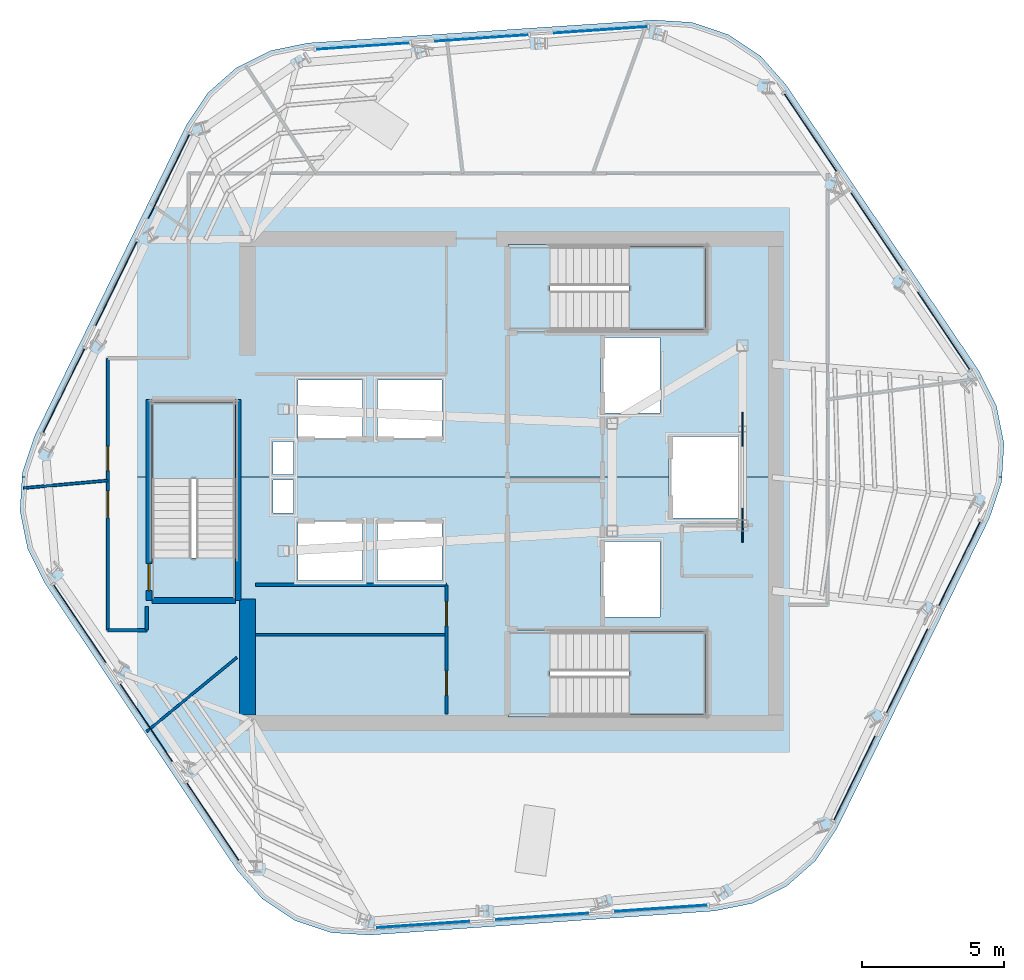
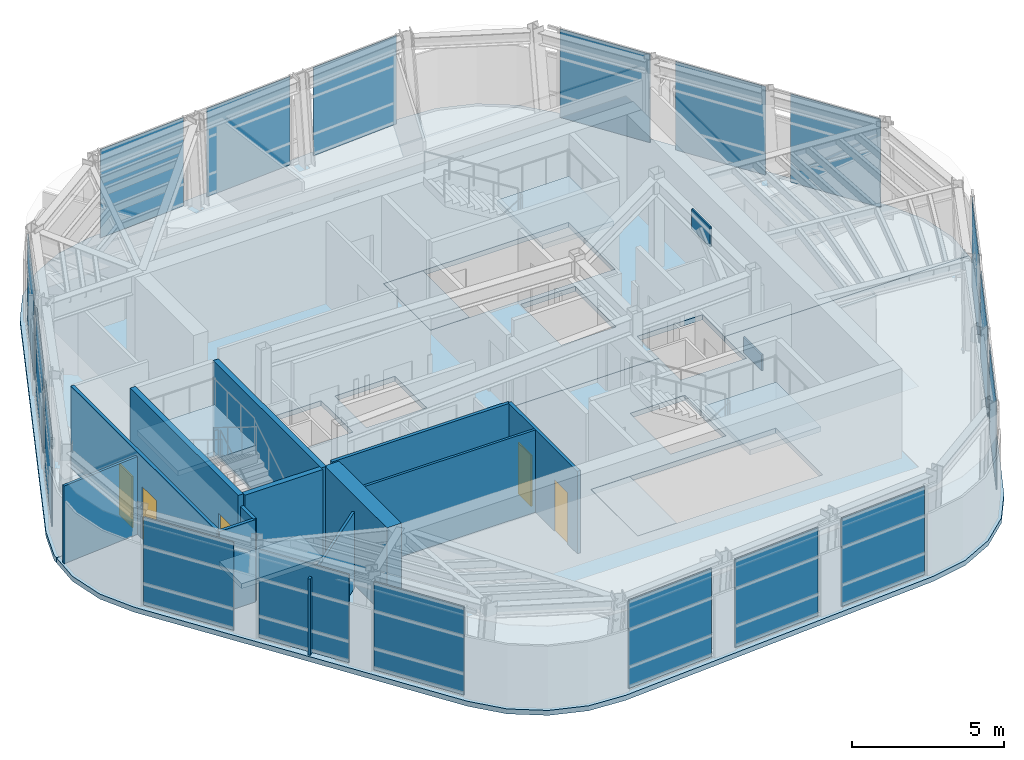
# One storey, part 5 of 14: 20 plates, 12 walls, 8 slabs, 5 doors, 5 openings, 9 elements without a shape of their own.
"""IFC4 building model written with IfcOpenShell, lengths in metres."""

from ifc_helpers import new_model, si_unit, direction, frame, frame_2d, origin, origin_2d, place, context, subcontext, project, spatial, polyline, rectangle, outline, extrude, material, layer, layer_set, type_object, element, fill, aggregate, save


model = new_model("IFC4")

# Units and contexts
model_context = context("Model", 3, precision=1e-05, world=origin(), true_north=direction((0.0, 1.0)))
body_context = subcontext(model_context, "Body", "Model", "MODEL_VIEW")
ifc_project = project(units=[si_unit("LENGTHUNIT", "METRE"), si_unit("AREAUNIT", "SQUARE_METRE"), si_unit("VOLUMEUNIT", "CUBIC_METRE"), si_unit("PLANEANGLEUNIT", "RADIAN"), si_unit("MASSUNIT", "GRAM", prefix="KILO")], contexts=[model_context])

# Site, building, storey
site_placement = place(None, origin())
site = spatial("IfcSite", under=ifc_project, at=site_placement, CompositionType="ELEMENT")
building_placement = place(site_placement, origin())
building = spatial("IfcBuilding", under=site, at=building_placement, Name="Valkerne Bourse Tower", CompositionType="ELEMENT")
storey_placement = place(building_placement, frame((0.0, 0.0, 300.199951171875)))
storey = spatial("IfcBuildingStorey", under=building, at=storey_placement, Name="L76", CompositionType="ELEMENT", Elevation=300.199951171875)

# Curtain wall, plates
ifc_material_1 = material(Name="Aluminium AA 6063-T6", Category="aluminium")
ifc_layer_1 = layer(ifc_material_1, 0.2451171875)
ifc_layer_set_1 = layer_set([ifc_layer_1], Name="Aluminium AA 6063-T6")
curtain_wall_type = type_object("IfcCurtainWallType", Name="CW-05", PredefinedType="NOTDEFINED", material=ifc_layer_set_1)
curtain_wall_1_placement = place(storey_placement, origin())
curtain_wall_1 = element("IfcCurtainWall", 1, at=curtain_wall_1_placement, inside=storey, type_object=curtain_wall_type, Name="L76 Hexagonal Stick Curtain Wall Face 1", PredefinedType="NOTDEFINED")
ifc_material_2 = material(Name="Glass IGU Low-E Double Glazed", Category="glass")
ifc_layer_2 = layer(ifc_material_2, 0.031982421875)
ifc_layer_set_2 = layer_set([ifc_layer_2], Name="Glass IGU Low-E Double Glazed")
plate_type_1 = type_object("IfcPlateType", Name="CW-PNL-IGU-32", PredefinedType="CURTAIN_PANEL", material=ifc_layer_set_2)
plate_1_placement = place(storey_placement, frame((49.9453125, 42.789306640625, 0.030029296875), z_axis=(0.0, 0.0, 1.0), x_axis=(-0.997683912396, -0.068020665584, 0.0)))
plate_1 = element("IfcPlate", 2, at=plate_1_placement, type_object=plate_type_1, Name="CW-L76-F1 Curtain Panel 00", PredefinedType="CURTAIN_PANEL", context=body_context, shape_type="SweptSolid", body=[
    extrude(rectangle(XDim=3.2919921875, YDim=0.031982421875, at=origin_2d()), origin(), (0.0, 0.0, 1.0), 3.5400390625),
])
plate_2_placement = place(storey_placement, frame((45.7431640625, 42.502685546875, 0.030029296875), z_axis=(0.0, 0.0, 1.0), x_axis=(-0.997684022241, -0.068019054423, 0.0)))
plate_2 = element("IfcPlate", 3, at=plate_2_placement, type_object=plate_type_1, Name="CW-L76-F1 Curtain Panel 01", PredefinedType="CURTAIN_PANEL", context=body_context, shape_type="SweptSolid", body=[
    extrude(rectangle(XDim=3.2919921875, YDim=0.031982421875, at=origin_2d()), origin(), (0.0, 0.0, 1.0), 3.5400390625),
])
plate_3_placement = place(storey_placement, frame((41.541015625, 42.21630859375, 0.030029296875), z_axis=(0.0, 0.0, 1.0), x_axis=(-0.997683912396, -0.068020665584, 0.0)))
plate_3 = element("IfcPlate", 4, at=plate_3_placement, type_object=plate_type_1, Name="CW-L76-F1 Curtain Panel 02", PredefinedType="CURTAIN_PANEL", context=body_context, shape_type="SweptSolid", body=[
    extrude(rectangle(XDim=3.2919921875, YDim=0.031982421875, at=origin_2d()), origin(), (0.0, 0.0, 1.0), 3.5400390625),
])
aggregate(curtain_wall_1, [plate_1, plate_2, plate_3])

curtain_wall_2_placement = place(storey_placement, origin())
curtain_wall_2 = element("IfcCurtainWall", 5, at=curtain_wall_2_placement, inside=storey, type_object=curtain_wall_type, Name="L76 Hexagonal Stick Curtain Wall Face 2", PredefinedType="NOTDEFINED")
plate_4_placement = place(storey_placement, frame((34.69873046875, 37.61865234375, 0.030029296875), z_axis=(0.0, 0.0, 1.0), x_axis=(-0.439933879731, -0.898030167347, 0.0)))
plate_4 = element("IfcPlate", 6, at=plate_4_placement, type_object=plate_type_1, Name="CW-L76-F2 Curtain Panel 00", PredefinedType="CURTAIN_PANEL", context=body_context, shape_type="SweptSolid", body=[
    extrude(rectangle(XDim=3.2919921875, YDim=0.031982421875, at=origin_2d()), origin(), (0.0, 0.0, 1.0), 3.5400390625),
])
plate_5_placement = place(storey_placement, frame((32.845703125, 33.836181640625, 0.030029296875), z_axis=(0.0, 0.0, 1.0), x_axis=(-0.439933879731, -0.898030167347, 0.0)))
plate_5 = element("IfcPlate", 7, at=plate_5_placement, type_object=plate_type_1, Name="CW-L76-F2 Curtain Panel 01", PredefinedType="CURTAIN_PANEL", context=body_context, shape_type="SweptSolid", body=[
    extrude(rectangle(XDim=3.2919921875, YDim=0.031982421875, at=origin_2d()), origin(), (0.0, 0.0, 1.0), 3.5400390625),
])
plate_6_placement = place(storey_placement, frame((30.992919921875, 30.0537109375, 0.030029296875), z_axis=(0.0, 0.0, 1.0), x_axis=(-0.439933879731, -0.898030167347, 0.0)))
plate_6 = element("IfcPlate", 8, at=plate_6_placement, type_object=plate_type_1, Name="CW-L76-F2 Curtain Panel 02", PredefinedType="CURTAIN_PANEL", context=body_context, shape_type="SweptSolid", body=[
    extrude(rectangle(XDim=3.2919921875, YDim=0.031982421875, at=origin_2d()), origin(), (0.0, 0.0, 1.0), 3.5400390625),
])
aggregate(curtain_wall_2, [plate_4, plate_5, plate_6])

curtain_wall_3_placement = place(storey_placement, origin())
curtain_wall_3 = element("IfcCurtainWall", 9, at=curtain_wall_3_placement, inside=storey, type_object=curtain_wall_type, Name="L76 Hexagonal Stick Curtain Wall Face 3", PredefinedType="NOTDEFINED")
plate_7_placement = place(storey_placement, frame((31.55322265625, 21.829345703125, 0.030029296875), z_axis=(0.0, 0.0, 1.0), x_axis=(0.557742736213, -0.830013879523, 0.0)))
plate_7 = element("IfcPlate", 10, at=plate_7_placement, type_object=plate_type_1, Name="CW-L76-F3 Curtain Panel 00", PredefinedType="CURTAIN_PANEL", context=body_context, shape_type="SweptSolid", body=[
    extrude(rectangle(XDim=3.2919921875, YDim=0.031982421875, at=origin_2d()), origin(), (0.0, 0.0, 1.0), 3.5400390625),
])
plate_8_placement = place(storey_placement, frame((33.902587890625, 18.33349609375, 0.030029296875), z_axis=(0.0, 0.0, 1.0), x_axis=(0.557759092161, -0.830002888617, 0.0)))
plate_8 = element("IfcPlate", 11, at=plate_8_placement, type_object=plate_type_1, Name="CW-L76-F3 Curtain Panel 01", PredefinedType="CURTAIN_PANEL", context=body_context, shape_type="SweptSolid", body=[
    extrude(rectangle(XDim=3.2919921875, YDim=0.031982421875, at=origin_2d()), origin(), (0.0, 0.0, 1.0), 3.5400390625),
])
plate_9_placement = place(storey_placement, frame((36.251953125, 14.83740234375, 0.030029296875), z_axis=(0.0, 0.0, 1.0), x_axis=(0.557742736213, -0.830013879523, 0.0)))
plate_9 = element("IfcPlate", 12, at=plate_9_placement, type_object=plate_type_1, Name="CW-L76-F3 Curtain Panel 02", PredefinedType="CURTAIN_PANEL", context=body_context, shape_type="SweptSolid", body=[
    extrude(rectangle(XDim=3.2919921875, YDim=0.031982421875, at=origin_2d()), origin(), (0.0, 0.0, 1.0), 3.5400390625),
])
aggregate(curtain_wall_3, [plate_7, plate_8, plate_9])

curtain_wall_4_placement = place(storey_placement, origin())
curtain_wall_4 = element("IfcCurtainWall", 13, at=curtain_wall_4_placement, inside=storey, type_object=curtain_wall_type, Name="L76 Hexagonal Stick Curtain Wall Face 4", PredefinedType="NOTDEFINED")
plate_10_placement = place(storey_placement, frame((43.65478515625, 11.210693359375, 0.030029296875), z_axis=(0.0, 0.0, 1.0), x_axis=(0.997683912396, 0.068020665584, 0.0)))
plate_10 = element("IfcPlate", 14, at=plate_10_placement, type_object=plate_type_1, Name="CW-L76-F4 Curtain Panel 00", PredefinedType="CURTAIN_PANEL", context=body_context, shape_type="SweptSolid", body=[
    extrude(rectangle(XDim=3.2919921875, YDim=0.031982421875, at=origin_2d()), origin(), (0.0, 0.0, 1.0), 3.5400390625),
])
plate_11_placement = place(storey_placement, frame((47.85693359375, 11.497314453125, 0.030029296875), z_axis=(0.0, 0.0, 1.0), x_axis=(0.997684022241, 0.068019054423, 0.0)))
plate_11 = element("IfcPlate", 15, at=plate_11_placement, type_object=plate_type_1, Name="CW-L76-F4 Curtain Panel 01", PredefinedType="CURTAIN_PANEL", context=body_context, shape_type="SweptSolid", body=[
    extrude(rectangle(XDim=3.2919921875, YDim=0.031982421875, at=origin_2d()), origin(), (0.0, 0.0, 1.0), 3.5400390625),
])
plate_12_placement = place(storey_placement, frame((52.05908203125, 11.78369140625, 0.030029296875), z_axis=(0.0, 0.0, 1.0), x_axis=(0.997683912396, 0.068020665584, 0.0)))
plate_12 = element("IfcPlate", 16, at=plate_12_placement, type_object=plate_type_1, Name="CW-L76-F4 Curtain Panel 02", PredefinedType="CURTAIN_PANEL", context=body_context, shape_type="SweptSolid", body=[
    extrude(rectangle(XDim=3.2919921875, YDim=0.031982421875, at=origin_2d()), origin(), (0.0, 0.0, 1.0), 3.5400390625),
])
aggregate(curtain_wall_4, [plate_10, plate_11, plate_12])

curtain_wall_5_placement = place(storey_placement, origin())
curtain_wall_5 = element("IfcCurtainWall", 17, at=curtain_wall_5_placement, inside=storey, type_object=curtain_wall_type, Name="L76 Hexagonal Stick Curtain Wall Face 5", PredefinedType="NOTDEFINED")
plate_13_placement = place(storey_placement, frame((58.9013671875, 16.38134765625, 0.030029296875), z_axis=(0.0, 0.0, 1.0), x_axis=(0.439933879731, 0.898030167347, 0.0)))
plate_13 = element("IfcPlate", 18, at=plate_13_placement, type_object=plate_type_1, Name="CW-L76-F5 Curtain Panel 00", PredefinedType="CURTAIN_PANEL", context=body_context, shape_type="SweptSolid", body=[
    extrude(rectangle(XDim=3.2919921875, YDim=0.031982421875, at=origin_2d()), origin(), (0.0, 0.0, 1.0), 3.5400390625),
])
plate_14_placement = place(storey_placement, frame((60.754150390625, 20.163818359375, 0.030029296875), z_axis=(0.0, 0.0, 1.0), x_axis=(0.439933879731, 0.898030167347, 0.0)))
plate_14 = element("IfcPlate", 19, at=plate_14_placement, type_object=plate_type_1, Name="CW-L76-F5 Curtain Panel 01", PredefinedType="CURTAIN_PANEL", context=body_context, shape_type="SweptSolid", body=[
    extrude(rectangle(XDim=3.2919921875, YDim=0.031982421875, at=origin_2d()), origin(), (0.0, 0.0, 1.0), 3.5400390625),
])
plate_15_placement = place(storey_placement, frame((62.607177734375, 23.9462890625, 0.030029296875), z_axis=(0.0, 0.0, 1.0), x_axis=(0.439933879731, 0.898030167347, 0.0)))
plate_15 = element("IfcPlate", 20, at=plate_15_placement, type_object=plate_type_1, Name="CW-L76-F5 Curtain Panel 02", PredefinedType="CURTAIN_PANEL", context=body_context, shape_type="SweptSolid", body=[
    extrude(rectangle(XDim=3.2919921875, YDim=0.031982421875, at=origin_2d()), origin(), (0.0, 0.0, 1.0), 3.5400390625),
])
aggregate(curtain_wall_5, [plate_13, plate_14, plate_15])

curtain_wall_6_placement = place(storey_placement, origin())
curtain_wall_6 = element("IfcCurtainWall", 21, at=curtain_wall_6_placement, inside=storey, type_object=curtain_wall_type, Name="L76 Hexagonal Stick Curtain Wall Face 6", PredefinedType="NOTDEFINED")
plate_16_placement = place(storey_placement, frame((62.046630859375, 32.170654296875, 0.030029296875), z_axis=(0.0, 0.0, 1.0), x_axis=(-0.557742736213, 0.830013879523, 0.0)))
plate_16 = element("IfcPlate", 22, at=plate_16_placement, type_object=plate_type_1, Name="CW-L76-F6 Curtain Panel 00", PredefinedType="CURTAIN_PANEL", context=body_context, shape_type="SweptSolid", body=[
    extrude(rectangle(XDim=3.2919921875, YDim=0.031982421875, at=origin_2d()), origin(), (0.0, 0.0, 1.0), 3.5400390625),
])
plate_17_placement = place(storey_placement, frame((59.697509765625, 35.66650390625, 0.030029296875), z_axis=(0.0, 0.0, 1.0), x_axis=(-0.557759092161, 0.830002888617, 0.0)))
plate_17 = element("IfcPlate", 23, at=plate_17_placement, type_object=plate_type_1, Name="CW-L76-F6 Curtain Panel 01", PredefinedType="CURTAIN_PANEL", context=body_context, shape_type="SweptSolid", body=[
    extrude(rectangle(XDim=3.2919921875, YDim=0.031982421875, at=origin_2d()), origin(), (0.0, 0.0, 1.0), 3.5400390625),
])
plate_18_placement = place(storey_placement, frame((57.34814453125, 39.16259765625, 0.030029296875), z_axis=(0.0, 0.0, 1.0), x_axis=(-0.557742736213, 0.830013879523, 0.0)))
plate_18 = element("IfcPlate", 24, at=plate_18_placement, type_object=plate_type_1, Name="CW-L76-F6 Curtain Panel 02", PredefinedType="CURTAIN_PANEL", context=body_context, shape_type="SweptSolid", body=[
    extrude(rectangle(XDim=3.2919921875, YDim=0.031982421875, at=origin_2d()), origin(), (0.0, 0.0, 1.0), 3.5400390625),
])
aggregate(curtain_wall_6, [plate_16, plate_17, plate_18])

# Plates
ifc_material_3 = material(Name="Steel ASTM A572 Grade 50", Category="steel")
ifc_layer_3 = layer(ifc_material_3, 0.06005859375)
ifc_layer_set_3 = layer_set([ifc_layer_3], Name="Steel ASTM A572 Grade 50")
plate_type_2 = type_object("IfcPlateType", Name="PLT-GUS-60", PredefinedType="SHEET", material=ifc_layer_set_3)
for number, where, z_axis, x_axis, name in (
    (25, (54.949951171875, 25.300048828125, -0.18017578125), (0.0, 0.0, 1.0), (0.0, 1.0, 0.0), "L76 Brace Node Gusset Plate PLT-GUS-END-L76-468"),
    (26, (54.949951171875, 28.699951171875, 2.89404296875), (0.0, 0.0, 1.0), (0.0, 1.0, 0.0), "L76 Brace Node Gusset Plate PLT-GUS-END-L76-469"),
):
    element("IfcPlate", number, at=place(storey_placement, frame(where, z_axis=z_axis, x_axis=x_axis)), inside=storey, type_object=plate_type_2, Name=name, PredefinedType="SHEET", context=body_context, shape_type="SweptSolid", body=[
        extrude(rectangle(XDim=1.199951171875, YDim=0.06005859375, at=origin_2d()), origin(), (0.0, 0.0, 1.0), 0.800048828125),
    ])

# Slabs
ifc_material_4 = material(Name="Concrete C40/50", Category="concrete")
ifc_layer_4 = layer(ifc_material_4, 0.25)
ifc_layer_set_4 = layer_set([ifc_layer_4], Name="Concrete C40/50")
slab_type_1 = type_object("IfcSlabType", Name="SLB-RMP-LND-250", PredefinedType="LANDING", material=ifc_layer_set_4)
slab_1_placement = place(storey_placement, frame((0.0, 0.0, -0.199951171875)))
element("IfcSlab", 27, at=slab_1_placement, inside=storey, type_object=slab_type_1, Name="L76 ST-1 Floor Landing Slab", PredefinedType="LANDING", context=body_context, shape_type="SweptSolid", body=[
    extrude(outline(polyline([(46.669921875, 18.5400390625), (48.14990234375, 18.5400390625), (48.14990234375, 21.610107421875), (46.669921875, 21.610107421875), (46.669921875, 18.5400390625)])), origin(), (0.0, 0.0, 1.0), 0.199951171875),
])
slab_2_placement = place(storey_placement, frame((0.0, 0.0, -0.199951171875)))
element("IfcSlab", 28, at=slab_2_placement, inside=storey, type_object=slab_type_1, Name="L76 ST-2 Floor Landing Slab", PredefinedType="LANDING", context=body_context, shape_type="SweptSolid", body=[
    extrude(outline(polyline([(46.669921875, 32.139892578125), (48.14990234375, 32.139892578125), (48.14990234375, 35.2099609375), (46.669921875, 35.2099609375), (46.669921875, 32.139892578125)])), origin(), (0.0, 0.0, 1.0), 0.199951171875),
])
slab_3_placement = place(storey_placement, frame((0.0, 0.0, -0.199951171875)))
element("IfcSlab", 29, at=slab_3_placement, inside=storey, type_object=slab_type_1, Name="L76 ST-3 Floor Landing Slab", PredefinedType="LANDING", context=body_context, shape_type="SweptSolid", body=[
    extrude(outline(polyline([(37.110107421875, 22.669921875), (37.110107421875, 24.14990234375), (34.0400390625, 24.14990234375), (34.0400390625, 22.669921875), (37.110107421875, 22.669921875)])), origin(), (0.0, 0.0, 1.0), 0.199951171875),
])

# Stair, slab
stair_type = type_object("IfcStairType", Name="ST-CORE-1400", PredefinedType="HALF_TURN_STAIR", material=ifc_material_4)
stair_1_placement = place(storey_placement, origin())
stair_1 = element("IfcStair", 30, at=stair_1_placement, inside=storey, type_object=stair_type, Name="L76 ST-1", PredefinedType="HALF_TURN_STAIR")
ifc_layer_5 = layer(ifc_material_4, 0.179931640625)
ifc_layer_set_5 = layer_set([ifc_layer_5], Name="Concrete C40/50")
slab_type_2 = type_object("IfcSlabType", Name="SLB-ST-LND-180", PredefinedType="LANDING", material=ifc_layer_set_5)
slab_4_placement = place(storey_placement, frame((0.0, 0.0, 1.699951171875)))
slab_4 = element("IfcSlab", 31, at=slab_4_placement, type_object=slab_type_2, Name="ST-1 landing 1", PredefinedType="LANDING", context=body_context, shape_type="SweptSolid", body=[
    extrude(outline(polyline([(50.949951171875, 18.60009765625), (53.64990234375, 18.60009765625), (53.64990234375, 21.550048828125), (50.949951171875, 21.550048828125), (50.949951171875, 18.60009765625)])), origin(), (0.0, 0.0, 1.0), 0.2001953125),
])
aggregate(stair_1, [slab_4])

stair_2_placement = place(storey_placement, origin())
stair_2 = element("IfcStair", 32, at=stair_2_placement, inside=storey, type_object=stair_type, Name="L76 ST-2", PredefinedType="HALF_TURN_STAIR")
slab_5_placement = place(storey_placement, frame((0.0, 0.0, 1.699951171875)))
slab_5 = element("IfcSlab", 33, at=slab_5_placement, type_object=slab_type_2, Name="ST-2 landing 1", PredefinedType="LANDING", context=body_context, shape_type="SweptSolid", body=[
    extrude(outline(polyline([(50.949951171875, 32.199951171875), (53.64990234375, 32.199951171875), (53.64990234375, 35.14990234375), (50.949951171875, 35.14990234375), (50.949951171875, 32.199951171875)])), origin(), (0.0, 0.0, 1.0), 0.2001953125),
])
aggregate(stair_2, [slab_5])

stair_3_placement = place(storey_placement, origin())
stair_3 = element("IfcStair", 34, at=stair_3_placement, inside=storey, type_object=stair_type, Name="L76 ST-3", PredefinedType="HALF_TURN_STAIR")
slab_6_placement = place(storey_placement, frame((0.0, 0.0, 1.699951171875)))
slab_6 = element("IfcSlab", 35, at=slab_6_placement, type_object=slab_type_2, Name="ST-3 landing 1", PredefinedType="LANDING", context=body_context, shape_type="SweptSolid", body=[
    extrude(outline(polyline([(37.050048828125, 26.949951171875), (37.050048828125, 29.64990234375), (34.10009765625, 29.64990234375), (34.10009765625, 26.949951171875), (37.050048828125, 26.949951171875)])), origin(), (0.0, 0.0, 1.0), 0.2001953125),
])
aggregate(stair_3, [slab_6])

# Slabs
ifc_layer_6 = layer(ifc_material_4, 0.199951171875)
ifc_layer_set_6 = layer_set([ifc_layer_6], Name="Concrete C40/50")
slab_type_3 = type_object("IfcSlabType", Name="SLB-TOW-200", PredefinedType="FLOOR", material=ifc_layer_set_6)
slab_7_placement = place(storey_placement, frame((0.0, 0.0, -0.199951171875)))
element("IfcSlab", 36, at=slab_7_placement, inside=storey, type_object=slab_type_3, Name="L76 Hexagonal Composite Floor Slab S", PredefinedType="FLOOR", context=body_context, shape_type="SweptSolid", body=[
    extrude(outline(polyline([(64.09326171875, 26.830078125), (63.660400390625, 25.54345703125), (58.271728515625, 14.58984375), (57.5205078125, 13.459228515625), (56.502197265625, 12.5615234375), (55.286376953125, 11.9580078125), (53.955810546875, 11.689697265625), (41.778076171875, 10.839111328125), (40.42333984375, 10.92431640625), (39.13671875, 11.357421875), (38.006103515625, 12.108642578125), (37.1083984375, 13.126953125), (30.316650390625, 23.270263671875), (29.712890625, 24.486083984375), (29.444580078125, 25.81689453125), (29.519287109375, 27.0), (34.034912109375, 27.0), (34.034912109375, 22.6650390625), (37.114990234375, 22.6650390625), (37.114990234375, 27.0), (52.360107421875, 27.0), (52.360107421875, 25.56005859375), (54.840087890625, 25.56005859375), (54.840087890625, 27.0), (64.10400390625, 27.0), (64.09326171875, 26.830078125)]), holes=[polyline([(39.260009765625, 25.43994140625), (39.260009765625, 23.360107421875), (41.5400390625, 23.360107421875), (41.5400390625, 25.43994140625), (39.260009765625, 25.43994140625)]), polyline([(44.340087890625, 25.43994140625), (42.06005859375, 25.43994140625), (42.06005859375, 23.360107421875), (44.340087890625, 23.360107421875), (44.340087890625, 25.43994140625)]), polyline([(38.3798828125, 26.89990234375), (38.3798828125, 25.72998046875), (39.10009765625, 25.72998046875), (39.10009765625, 26.89990234375), (38.3798828125, 26.89990234375)]), polyline([(46.6650390625, 21.614990234375), (46.6650390625, 18.534912109375), (53.675048828125, 18.534912109375), (53.675048828125, 21.614990234375), (46.6650390625, 21.614990234375)]), polyline([(52.0400390625, 24.739990234375), (49.9599609375, 24.739990234375), (49.9599609375, 22.06005859375), (52.0400390625, 22.06005859375), (52.0400390625, 24.739990234375)])]), origin(), (0.0, 0.0, 1.0), 0.199951171875),
])
slab_8_placement = place(storey_placement, frame((0.0, 0.0, -0.199951171875)))
element("IfcSlab", 37, at=slab_8_placement, inside=storey, type_object=slab_type_3, Name="L76 Hexagonal Composite Floor Slab N", PredefinedType="FLOOR", context=body_context, shape_type="SweptSolid", body=[
    extrude(outline(polyline([(63.91015625, 29.515380859375), (64.178466796875, 28.184814453125), (64.10400390625, 27.0), (54.840087890625, 27.0), (54.840087890625, 28.43994140625), (52.360107421875, 28.43994140625), (52.360107421875, 27.0), (37.114990234375, 27.0), (37.114990234375, 29.675048828125), (34.034912109375, 29.675048828125), (34.034912109375, 27.0), (29.519287109375, 27.0), (29.530029296875, 27.171630859375), (29.962890625, 28.458251953125), (35.315185546875, 39.429443359375), (36.06640625, 40.560302734375), (37.084716796875, 41.4580078125), (38.300537109375, 42.061279296875), (39.63134765625, 42.329833984375), (51.8115234375, 43.139892578125), (53.16650390625, 43.0546875), (54.452880859375, 42.62158203125), (55.583740234375, 41.87060546875), (56.4814453125, 40.852294921875), (63.306640625, 30.731201171875), (63.91015625, 29.515380859375)]), holes=[polyline([(39.10009765625, 28.27001953125), (38.3798828125, 28.27001953125), (38.3798828125, 27.10009765625), (39.10009765625, 27.10009765625), (39.10009765625, 28.27001953125)]), polyline([(41.5400390625, 30.43994140625), (39.260009765625, 30.43994140625), (39.260009765625, 28.360107421875), (41.5400390625, 28.360107421875), (41.5400390625, 30.43994140625)]), polyline([(42.06005859375, 30.43994140625), (42.06005859375, 28.360107421875), (44.340087890625, 28.360107421875), (44.340087890625, 30.43994140625), (42.06005859375, 30.43994140625)]), polyline([(52.0400390625, 31.93994140625), (49.9599609375, 31.93994140625), (49.9599609375, 29.260009765625), (52.0400390625, 29.260009765625), (52.0400390625, 31.93994140625)]), polyline([(53.675048828125, 35.215087890625), (46.6650390625, 35.215087890625), (46.6650390625, 32.135009765625), (53.675048828125, 32.135009765625), (53.675048828125, 35.215087890625)])]), origin(), (0.0, 0.0, 1.0), 0.199951171875),
])

# Wall
ifc_material_5 = material(Name="Concrete C55/67", Category="concrete")
ifc_layer_7 = layer(ifc_material_5, 0.550048828125)
ifc_layer_set_7 = layer_set([ifc_layer_7], Name="Concrete C55/67")
wall_type_1 = type_object("IfcWallType", Name="W-CORE-550", PredefinedType="SHEAR", material=ifc_layer_set_7)
wall_1_placement = place(storey_placement, frame((37.47509765625, 18.60009765625, 0.0), z_axis=(0.0, 0.0, 1.0), x_axis=(0.0, 1.0, 0.0)))
element("IfcWall", 38, at=wall_1_placement, inside=storey, type_object=wall_type_1, Name="L76 Core Shear Wall WEST-S", PredefinedType="SHEAR", context=body_context, shape_type="SweptSolid", body=[
    extrude(rectangle(XDim=4.099853515625, YDim=0.550048828125, at=frame_2d((2.0498046875, 0.0))), origin(), (0.0, 0.0, 1.0), 3.60009765625),
])

# Wall, openings, doors
ifc_material_6 = material(Name="Gypsum Board Steel-Stud Partition", Category="steel")
ifc_layer_8 = layer(ifc_material_6, 0.117919921875)
ifc_layer_set_8 = layer_set([ifc_layer_8], Name="Gypsum Board Steel-Stud Partition")
wall_type_2 = type_object("IfcWallType", Name="W-CORR-140", PredefinedType="PARTITIONING", material=ifc_layer_set_8)
wall_2_placement = place(storey_placement, frame((44.5, 18.64990234375, 0.0), z_axis=(0.0, 0.0, 1.0), x_axis=(0.0, 1.0, 0.0)))
wall_2 = element("IfcWall", 39, at=wall_2_placement, inside=storey, type_object=wall_type_2, Name="L76 LV7 Low-Bank East Wall", PredefinedType="PARTITIONING", context=body_context, shape_type="SweptSolid", body=[
    extrude(rectangle(XDim=4.550048828125, YDim=0.117919921875, at=frame_2d((2.27490234375, 0.0))), origin(), (0.0, 0.0, 1.0), 3.300048828125),
])
opening_1_placement = place(wall_2_placement, frame((0.64990234375, 0.0, 0.0)))
opening_1 = element("IfcOpeningElement", 40, at=opening_1_placement, cuts=wall_2, Name="Opening D-WC-900", PredefinedType="OPENING", context=body_context, shape_type="SweptSolid", body=[
    extrude(rectangle(XDim=0.860107421875, YDim=2.050048828125, at=frame_2d((0.43017578125, 1.02490234375))), frame((0.0, 0.06884765625, 0.0), z_axis=(0.0, -1.0, 0.0), x_axis=(1.0, 0.0, 0.0)), (0.0, 0.0, 1.0), 0.137939453125),
])
opening_2_placement = place(wall_2_placement, frame((3.10009765625, 0.0, 0.0)))
opening_2 = element("IfcOpeningElement", 41, at=opening_2_placement, cuts=wall_2, Name="Opening D-WC-900", PredefinedType="OPENING", context=body_context, shape_type="SweptSolid", body=[
    extrude(rectangle(XDim=0.860107421875, YDim=2.050048828125, at=frame_2d((0.43017578125, 1.02490234375))), frame((0.0, 0.06884765625, 0.0), z_axis=(0.0, -1.0, 0.0), x_axis=(1.0, 0.0, 0.0)), (0.0, 0.0, 1.0), 0.137939453125),
])
ifc_material_7 = material(Name="Architectural White Oak Timber", Category="wood")
door_type_1 = type_object("IfcDoorType", Name="DR-WC-900", OperationType="NOTDEFINED", PredefinedType="DOOR", material=ifc_material_7)
door_1_placement = place(opening_1_placement, origin())
door_1 = element("IfcDoor", 42, at=door_1_placement, inside=storey, type_object=door_type_1, Name="L76 Reprographics Office Door", OperationType="SINGLE_SWING_LEFT", OverallHeight=2.050048828125, OverallWidth=0.860107421875, PredefinedType="DOOR", context=body_context, shape_type="SweptSolid", body=[
    extrude(rectangle(XDim=0.860107421875, YDim=2.050048828125, at=frame_2d((0.43017578125, 1.02490234375))), frame((0.0, 0.02490234375, 0.0), z_axis=(0.0, -1.0, 0.0), x_axis=(1.0, 0.0, 0.0)), (0.0, 0.0, 1.0), 0.050048828125),
])
fill(opening_1, door_1)
door_2_placement = place(opening_2_placement, origin())
door_2 = element("IfcDoor", 43, at=door_2_placement, inside=storey, type_object=door_type_1, Name="L76 First Aid Clinic Door", OperationType="SINGLE_SWING_LEFT", OverallHeight=2.050048828125, OverallWidth=0.860107421875, PredefinedType="DOOR", context=body_context, shape_type="SweptSolid", body=[
    extrude(rectangle(XDim=0.860107421875, YDim=2.050048828125, at=frame_2d((0.43017578125, 1.02490234375))), frame((0.0, 0.02490234375, 0.0), z_axis=(0.0, -1.0, 0.0), x_axis=(1.0, 0.0, 0.0)), (0.0, 0.0, 1.0), 0.050048828125),
])
fill(opening_2, door_2)

# Walls
wall_3_placement = place(storey_placement, frame((37.75, 23.199951171875, 0.0), z_axis=(0.0, 0.0, 1.0), x_axis=(1.0, 0.0, 0.0)))
element("IfcWall", 44, at=wall_3_placement, inside=storey, type_object=wall_type_2, Name="L76 LV7 Low-Bank North Wall", PredefinedType="PARTITIONING", context=body_context, shape_type="SweptSolid", body=[
    extrude(rectangle(XDim=6.75, YDim=0.117919921875, at=frame_2d((3.375, 0.0))), origin(), (0.0, 0.0, 1.0), 3.300048828125),
])
wall_4_placement = place(storey_placement, frame((33.91796875, 22.43994140625, 0.0), z_axis=(0.0, 0.0, 1.0), x_axis=(0.002325575107, -0.999997295847, 0.0)))
element("IfcWall", 45, at=wall_4_placement, inside=storey, type_object=wall_type_2, Name="L76 Corridor Enclosure Wall", PredefinedType="PARTITIONING", context=body_context, shape_type="SweptSolid", body=[
    extrude(rectangle(XDim=0.83984375, YDim=0.117919921875, at=frame_2d((0.419921875, 0.0))), origin(), (0.0, 0.0, 1.0), 3.300048828125),
])
wall_5_placement = place(storey_placement, frame((33.919921875, 21.60009765625, 0.0), z_axis=(0.0, 0.0, 1.0), x_axis=(-1.0, 0.0, 0.0)))
element("IfcWall", 46, at=wall_5_placement, inside=storey, type_object=wall_type_2, Name="L76 Corridor Enclosure Wall", PredefinedType="PARTITIONING", context=body_context, shape_type="SweptSolid", body=[
    extrude(rectangle(XDim=1.369873046875, YDim=0.117919921875, at=frame_2d((0.68505859375, 0.0))), origin(), (0.0, 0.0, 1.0), 3.300048828125),
])

# Wall, openings, doors
wall_6_placement = place(storey_placement, frame((32.550048828125, 21.60009765625, 0.0), z_axis=(0.0, 0.0, 1.0), x_axis=(0.0, 1.0, 0.0)))
wall_6 = element("IfcWall", 47, at=wall_6_placement, inside=storey, type_object=wall_type_2, Name="L76 Corridor Enclosure Wall", PredefinedType="PARTITIONING", context=body_context, shape_type="SweptSolid", body=[
    extrude(rectangle(XDim=9.599853515625, YDim=0.117919921875, at=frame_2d((4.7998046875, 0.0))), origin(), (0.0, 0.0, 1.0), 3.300048828125),
])
opening_3_placement = place(wall_6_placement, frame((5.6298828125, 0.0, 0.0)))
opening_3 = element("IfcOpeningElement", 48, at=opening_3_placement, cuts=wall_6, Name="Opening D-WC-900", PredefinedType="OPENING", context=body_context, shape_type="SweptSolid", body=[
    extrude(rectangle(XDim=0.860107421875, YDim=2.050048828125, at=frame_2d((0.43017578125, 1.02490234375))), frame((0.0, 0.06884765625, 0.0), z_axis=(0.0, -1.0, 0.0), x_axis=(1.0, 0.0, 0.0)), (0.0, 0.0, 1.0), 0.137939453125),
])
opening_4_placement = place(wall_6_placement, frame((3.965087890625, 0.0, 0.0)))
opening_4 = element("IfcOpeningElement", 49, at=opening_4_placement, cuts=wall_6, Name="Opening D-OF-950", PredefinedType="OPENING", context=body_context, shape_type="SweptSolid", body=[
    extrude(rectangle(XDim=0.949951171875, YDim=2.10009765625, at=frame_2d((0.47509765625, 1.050048828125))), frame((0.0, 0.06884765625, 0.0), z_axis=(0.0, -1.0, 0.0), x_axis=(1.0, 0.0, 0.0)), (0.0, 0.0, 1.0), 0.137939453125),
])
door_type_2 = type_object("IfcDoorType", Name="DR-OFF-950", OperationType="NOTDEFINED", PredefinedType="DOOR", material=ifc_material_7)
door_3_placement = place(opening_4_placement, origin())
door_3 = element("IfcDoor", 50, at=door_3_placement, inside=storey, type_object=door_type_2, Name="L76 L76 Executive Economics Study Room 3 Door", OperationType="SINGLE_SWING_RIGHT", OverallHeight=2.10009765625, OverallWidth=0.949951171875, PredefinedType="DOOR", context=body_context, shape_type="SweptSolid", body=[
    extrude(rectangle(XDim=0.949951171875, YDim=2.10009765625, at=frame_2d((0.47509765625, 1.050048828125))), frame((0.0, 0.02490234375, 0.0), z_axis=(0.0, -1.0, 0.0), x_axis=(1.0, 0.0, 0.0)), (0.0, 0.0, 1.0), 0.050048828125),
])
fill(opening_4, door_3)
door_4_placement = place(opening_3_placement, origin())
door_4 = element("IfcDoor", 51, at=door_4_placement, inside=storey, type_object=door_type_1, Name="L76 L76 Women Restroom & Shower WC 2 Door", OperationType="SINGLE_SWING_RIGHT", OverallHeight=2.050048828125, OverallWidth=0.860107421875, PredefinedType="DOOR", context=body_context, shape_type="SweptSolid", body=[
    extrude(rectangle(XDim=0.860107421875, YDim=2.050048828125, at=frame_2d((0.43017578125, 1.02490234375))), frame((0.0, 0.02490234375, 0.0), z_axis=(0.0, -1.0, 0.0), x_axis=(1.0, 0.0, 0.0)), (0.0, 0.0, 1.0), 0.050048828125),
])
fill(opening_3, door_4)

# Walls
ifc_layer_9 = layer(ifc_material_6, 0.092041015625)
ifc_layer_set_9 = layer_set([ifc_layer_9], Name="Gypsum Board Steel-Stud Partition")
wall_type_3 = type_object("IfcWallType", Name="W-PART-115", PredefinedType="PARTITIONING", material=ifc_layer_set_9)
wall_7_placement = place(storey_placement, frame((37.75, 21.43994140625, 0.0), z_axis=(0.0, 0.0, 1.0), x_axis=(1.0, 0.0, 0.0)))
element("IfcWall", 52, at=wall_7_placement, inside=storey, type_object=wall_type_3, Name="L76 LV7 Low-Bank Sub-Divider", PredefinedType="PARTITIONING", context=body_context, shape_type="SweptSolid", body=[
    extrude(rectangle(XDim=6.75, YDim=0.092041015625, at=frame_2d((3.375, 0.0))), origin(), (0.0, 0.0, 1.0), 3.300048828125),
])
wall_8_placement = place(storey_placement, frame((32.544921875, 26.8837890625, 0.0), z_axis=(0.0, 0.0, 1.0), x_axis=(-0.996057431498, -0.08871072741, 0.0)))
element("IfcWall", 53, at=wall_8_placement, inside=storey, type_object=wall_type_3, Name="L76 Suite Partition P05", PredefinedType="PARTITIONING", context=body_context, shape_type="SweptSolid", body=[
    extrude(rectangle(XDim=2.991455078125, YDim=0.092041015625, at=frame_2d((1.49560546875, 0.0))), origin(), (0.0, 0.0, 1.0), 3.114990234375),
])
wall_9_placement = place(storey_placement, frame((37.10009765625, 20.636962890625, 0.0), z_axis=(0.0, 0.0, 1.0), x_axis=(-0.773204460831, -0.634156811641, 0.0)))
element("IfcWall", 54, at=wall_9_placement, inside=storey, type_object=wall_type_3, Name="L76 Suite Partition P06", PredefinedType="PARTITIONING", context=body_context, shape_type="SweptSolid", body=[
    extrude(rectangle(XDim=4.120849609375, YDim=0.092041015625, at=frame_2d((2.060546875, 0.0))), origin(), (0.0, 0.0, 1.0), 3.056640625),
])

# Wall, opening, door
ifc_layer_10 = layer(ifc_material_4, 0.199951171875)
ifc_layer_set_10 = layer_set([ifc_layer_10], Name="Concrete C40/50")
wall_type_4 = type_object("IfcWallType", Name="W-SHF-200", PredefinedType="SHEAR", material=ifc_layer_set_10)
wall_10_placement = place(storey_placement, frame((34.0, 22.64990234375, 0.0), z_axis=(0.0, 0.0, 1.0), x_axis=(0.0, 1.0, 0.0)))
wall_10 = element("IfcWall", 55, at=wall_10_placement, inside=storey, type_object=wall_type_4, Name="L76 Exit Stair ST-3 Structural Shaft Wall West", PredefinedType="SHEAR", context=body_context, shape_type="SweptSolid", body=[
    extrude(rectangle(XDim=7.10009765625, YDim=0.199951171875, at=frame_2d((3.550048828125, 0.0))), origin(), (0.0, 0.0, 1.0), 3.60009765625),
])
opening_5_placement = place(wall_10_placement, frame((0.35009765625, 0.0, 0.0)))
opening_5 = element("IfcOpeningElement", 56, at=opening_5_placement, cuts=wall_10, Name="Opening D-ST-950", PredefinedType="OPENING", context=body_context, shape_type="SweptSolid", body=[
    extrude(rectangle(XDim=0.949951171875, YDim=2.10009765625, at=frame_2d((0.47509765625, 1.050048828125))), frame((0.0, 0.10986328125, 0.0), z_axis=(0.0, -1.0, 0.0), x_axis=(1.0, 0.0, 0.0)), (0.0, 0.0, 1.0), 0.219970703125),
])
ifc_material_8 = material(Name="Galvanised Painted Steel", Category="steel")
door_type_3 = type_object("IfcDoorType", Name="DR-STAIR-950", OperationType="NOTDEFINED", PredefinedType="DOOR", material=ifc_material_8)
door_5_placement = place(opening_5_placement, origin())
door_5 = element("IfcDoor", 57, at=door_5_placement, inside=storey, type_object=door_type_3, Name="L76 Exit Stair ST-3 Door", OperationType="SINGLE_SWING_RIGHT", OverallHeight=2.10009765625, OverallWidth=0.949951171875, PredefinedType="DOOR", context=body_context, shape_type="SweptSolid", body=[
    extrude(rectangle(XDim=0.949951171875, YDim=2.10009765625, at=frame_2d((0.47509765625, 1.050048828125))), frame((0.0, 0.02490234375, 0.0), z_axis=(0.0, -1.0, 0.0), x_axis=(1.0, 0.0, 0.0)), (0.0, 0.0, 1.0), 0.050048828125),
])
fill(opening_5, door_5)

# Walls
wall_11_placement = place(storey_placement, frame((34.10009765625, 22.64990234375, 0.0), z_axis=(0.0, 0.0, 1.0), x_axis=(1.0, 0.0, 0.0)))
element("IfcWall", 58, at=wall_11_placement, inside=storey, type_object=wall_type_4, Name="L76 Exit Stair ST-3 Structural Shaft Wall South", PredefinedType="SHEAR", context=body_context, shape_type="SweptSolid", body=[
    extrude(rectangle(XDim=2.949951171875, YDim=0.199951171875, at=frame_2d((1.47509765625, 0.0))), origin(), (0.0, 0.0, 1.0), 3.60009765625),
])
wall_12_placement = place(storey_placement, frame((37.14990234375, 22.64990234375, 0.0), z_axis=(0.0, 0.0, 1.0), x_axis=(0.0, 1.0, 0.0)))
element("IfcWall", 59, at=wall_12_placement, inside=storey, type_object=wall_type_4, Name="L76 Exit Stair ST-3 Structural Shaft Wall East", PredefinedType="SHEAR", context=body_context, shape_type="SweptSolid", body=[
    extrude(rectangle(XDim=7.10009765625, YDim=0.199951171875, at=frame_2d((3.550048828125, 0.0))), origin(), (0.0, 0.0, 1.0), 3.60009765625),
])

save(model, "model.ifc")
